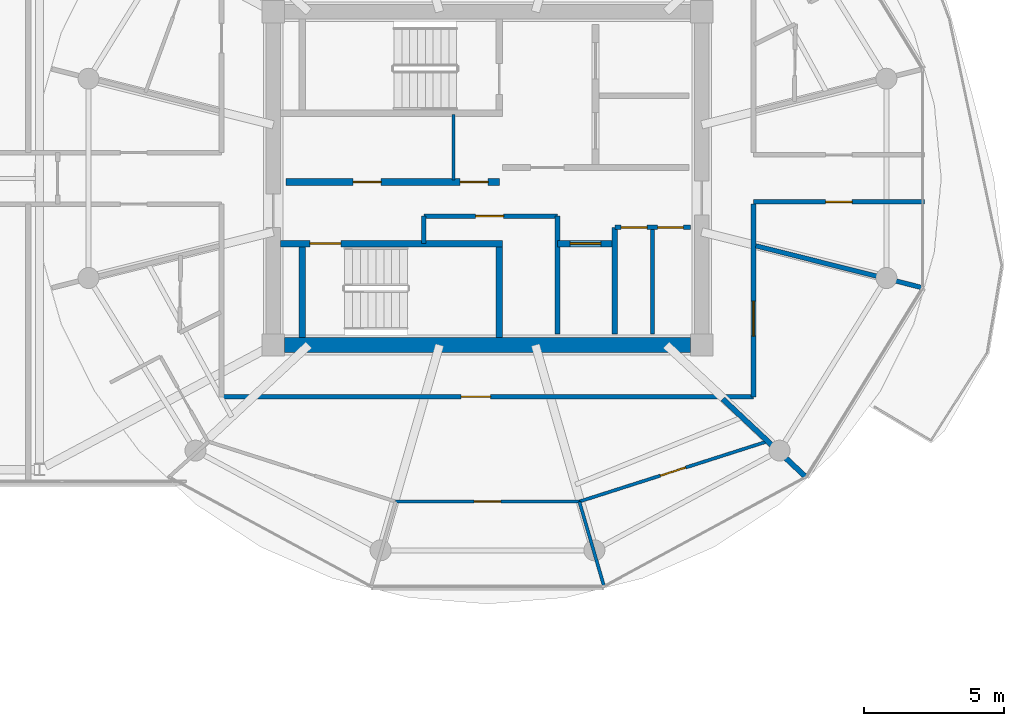
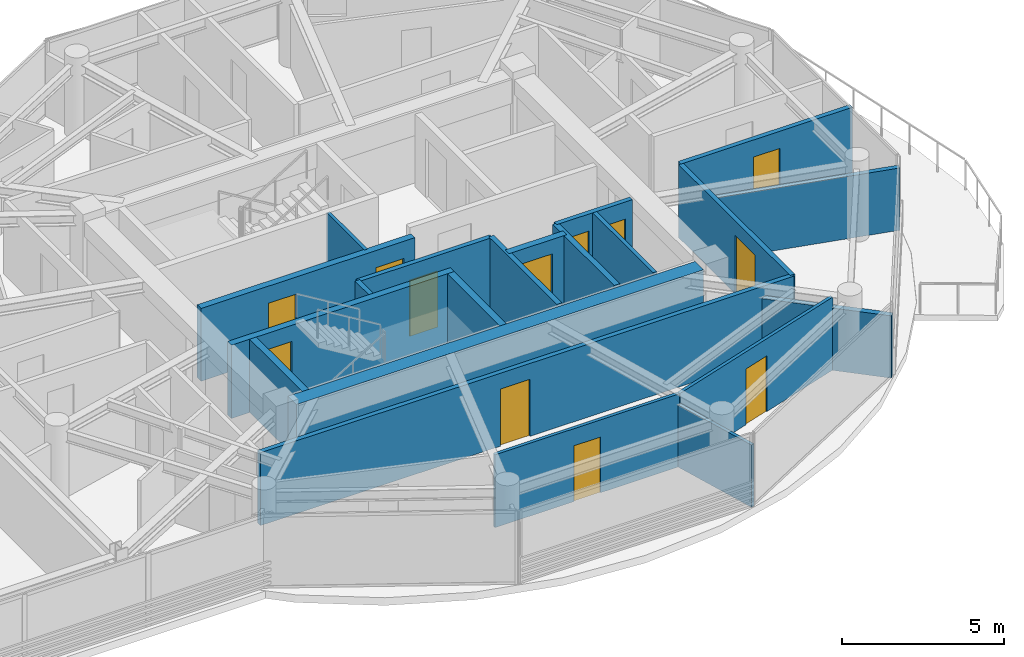
# One storey, part 17 of 23: 21 walls, 12 doors, 12 openings.
"""IFC4 building model written with IfcOpenShell, lengths in metres."""

from ifc_helpers import new_model, si_unit, direction, frame, frame_2d, origin, place, context, subcontext, project, spatial, rectangle, extrude, source, transform, mapped, material, layer, layer_set, type_object, type_shapes, element, fill, save


model = new_model("IFC4")

# Units and contexts
model_context = context("Model", 3, precision=1e-05, world=origin(), true_north=direction((0.0, 1.0)))
body_context = subcontext(model_context, "Body", "Model", "MODEL_VIEW")
ifc_project = project(units=[si_unit("LENGTHUNIT", "METRE"), si_unit("AREAUNIT", "SQUARE_METRE"), si_unit("VOLUMEUNIT", "CUBIC_METRE"), si_unit("PLANEANGLEUNIT", "RADIAN"), si_unit("MASSUNIT", "GRAM", prefix="KILO")], contexts=[model_context])

# Site, building, storey
site_placement = place(None, origin())
site = spatial("IfcSite", under=ifc_project, at=site_placement, CompositionType="ELEMENT")
building_placement = place(site_placement, origin())
building = spatial("IfcBuilding", under=site, at=building_placement, Name="Norrkilde Senior Care Towers", CompositionType="ELEMENT")
storey_placement = place(building_placement, frame((0.0, 0.0, 220.0)))
storey = spatial("IfcBuildingStorey", under=building, at=storey_placement, Name="L68", CompositionType="ELEMENT", Elevation=220.0)

# Wall
ifc_material_1 = material(Name="Concrete C50/60", Category="concrete")
ifc_layer_1 = layer(ifc_material_1, 0.52001953125)
ifc_layer_set_1 = layer_set([ifc_layer_1], Name="Concrete C50/60")
wall_type_1 = type_object("IfcWallType", Name="Core Shear Wall Z4 520", PredefinedType="SHEAR", material=ifc_layer_set_1)
shared_shape_1 = source(origin(), body_context, "Body", "SweptSolid", [
    extrude(rectangle(XDim=14.5, YDim=0.52001953125, at=frame_2d((7.25, 0.0))), origin(), (0.0, 0.0, 1.0), 2.760009765625),
])
type_shapes(wall_type_1, [shared_shape_1])
wall_1_placement = place(storey_placement, frame((35.25, -5.949951171875, 0.0), z_axis=(0.0, 0.0, 1.0), x_axis=(-1.0, 0.0, 0.0)))
element("IfcWall", 1, at=wall_1_placement, inside=storey, type_object=wall_type_1, Name="L68 Core E South Shear Wall", PredefinedType="SHEAR", context=body_context, shape_type="MappedRepresentation", body=[
    mapped(shared_shape_1, transform((0.0, 0.0, 0.0), x_axis=(1.0, 0.0, 0.0), y_axis=(0.0, 1.0, 0.0), z_axis=(0.0, 0.0, 1.0), scale=1.0)),
])

# Wall, opening, door
ifc_material_2 = material(Name="Concrete C45/55", Category="concrete")
ifc_layer_2 = layer(ifc_material_2, 0.239990234375)
ifc_layer_set_2 = layer_set([ifc_layer_2], Name="Concrete C45/55")
wall_type_2 = type_object("IfcWallType", Name="Shaft and Stair Enclosure Wall 240", PredefinedType="PARTITIONING", material=ifc_layer_set_2)
shared_shape_2 = source(origin(), body_context, "Body", "SweptSolid", [
    extrude(rectangle(XDim=7.929931640625, YDim=0.239990234375, at=frame_2d((3.96484375, 0.0))), origin(), (0.0, 0.0, 1.0), 2.760009765625),
])
wall_2_placement = place(storey_placement, frame((20.610107421875, -2.330078125, 0.0), z_axis=(0.0, 0.0, 1.0), x_axis=(1.0, 0.0, 0.0)))
wall_2 = element("IfcWall", 2, at=wall_2_placement, inside=storey, type_object=wall_type_2, Name="WL-INT-L68-E-ST2N", PredefinedType="PARTITIONING", context=body_context, shape_type="MappedRepresentation", body=[
    mapped(shared_shape_2, transform((0.0, 0.0, 0.0), x_axis=(1.0, 0.0, 0.0), y_axis=(0.0, 1.0, 0.0), z_axis=(0.0, 0.0, 1.0), scale=1.0)),
])
opening_1_placement = place(wall_2_placement, frame((1.050048828125, 0.0, 0.0)))
opening_1 = element("IfcOpeningElement", 3, at=opening_1_placement, cuts=wall_2, Name="Opening D-03", PredefinedType="OPENING", context=body_context, shape_type="SweptSolid", body=[
    extrude(rectangle(XDim=1.10009765625, YDim=2.14990234375, at=frame_2d((0.550048828125, 1.074951171875))), frame((0.0, 0.1298828125, 0.0), z_axis=(0.0, -1.0, 0.0), x_axis=(1.0, 0.0, 0.0)), (0.0, 0.0, 1.0), 0.260009765625),
])
ifc_material_3 = material(Name="Galvanised Painted Steel", Category="steel")
door_type_1 = type_object("IfcDoorType", Name="Stairwell Protected Fire Door 1100x2150", OperationType="NOTDEFINED", PredefinedType="DOOR", material=ifc_material_3)
shared_shape_3 = source(origin(), body_context, "Body", "SweptSolid", [
    extrude(rectangle(XDim=1.10009765625, YDim=2.14990234375, at=frame_2d((0.550048828125, 1.074951171875))), frame((0.0, 0.02490234375, 0.0), z_axis=(0.0, -1.0, 0.0), x_axis=(1.0, 0.0, 0.0)), (0.0, 0.0, 1.0), 0.050048828125),
])
type_shapes(door_type_1, [shared_shape_3])
door_1_placement = place(opening_1_placement, frame((1.10009765625, 0.0, 0.0), z_axis=(0.0, 0.0, 1.0), x_axis=(-1.0, 0.0, 0.0)))
door_1 = element("IfcDoor", 4, at=door_1_placement, inside=storey, type_object=door_type_1, Name="L68 Stair E2 Fire Door", OperationType="SINGLE_SWING_RIGHT", OverallHeight=2.14990234375, OverallWidth=1.10009765625, PredefinedType="DOOR", context=body_context, shape_type="MappedRepresentation", body=[
    mapped(shared_shape_3, transform((0.0, 0.0, 0.0), x_axis=(1.0, 0.0, 0.0), y_axis=(0.0, 1.0, 0.0), z_axis=(0.0, 0.0, 1.0), scale=1.0)),
])
fill(opening_1, door_1)

# Walls
shared_shape_4 = source(origin(), body_context, "Body", "SweptSolid", [
    extrude(rectangle(XDim=3.239990234375, YDim=0.239990234375, at=frame_2d((1.6201171875, 0.0))), origin(), (0.0, 0.0, 1.0), 2.760009765625),
])
type_shapes(wall_type_2, [shared_shape_2, shared_shape_4])
for number, where, z_axis, x_axis, name in (
    (5, (21.3798828125, -5.68994140625, 0.0), (0.0, 0.0, 1.0), (0.0, 1.0, 0.0), "WL-INT-L68-E-ST2W"),
    (6, (28.419921875, -5.68994140625, 0.0), (0.0, 0.0, 1.0), (0.0, 1.0, 0.0), "WL-INT-L68-E-ST2E"),
):
    element("IfcWall", number, at=place(storey_placement, frame(where, z_axis=z_axis, x_axis=x_axis)), inside=storey, type_object=wall_type_2, Name=name, PredefinedType="PARTITIONING", context=body_context, shape_type="MappedRepresentation", body=[
        mapped(shared_shape_4, transform((0.0, 0.0, 0.0), x_axis=(1.0, 0.0, 0.0), y_axis=(0.0, 1.0, 0.0), z_axis=(0.0, 0.0, 1.0), scale=1.0)),
    ])

# Wall, openings, doors
ifc_layer_3 = layer(ifc_material_2, 0.239990234375)
ifc_layer_set_3 = layer_set([ifc_layer_3], Name="Concrete C45/55")
wall_type_3 = type_object("IfcWallType", Name="Lift and Plant Rated Enclosure Partition 240", PredefinedType="PARTITIONING", material=ifc_layer_set_3)
shared_shape_5 = source(origin(), body_context, "Body", "SweptSolid", [
    extrude(rectangle(XDim=7.619873046875, YDim=0.239990234375, at=frame_2d((3.81005859375, 0.0))), origin(), (0.0, 0.0, 1.0), 2.7451171875),
])
wall_3_placement = place(storey_placement, frame((20.800048828125, -0.1298828125, 0.0), z_axis=(0.0, 0.0, 1.0), x_axis=(1.0, 0.0, 0.0)))
wall_3 = element("IfcWall", 7, at=wall_3_placement, inside=storey, type_object=wall_type_3, Name="WL-INT-L68-E-PKAS", PredefinedType="PARTITIONING", context=body_context, shape_type="MappedRepresentation", body=[
    mapped(shared_shape_5, transform((0.0, 0.0, 0.0), x_axis=(1.0, 0.0, 0.0), y_axis=(0.0, 1.0, 0.0), z_axis=(0.0, 0.0, 1.0), scale=1.0)),
])
opening_2_placement = place(wall_3_placement, frame((6.219970703125, 0.0, 0.0)))
opening_2 = element("IfcOpeningElement", 8, at=opening_2_placement, cuts=wall_3, Name="Opening D-10", PredefinedType="OPENING", context=body_context, shape_type="SweptSolid", body=[
    extrude(rectangle(XDim=1.0, YDim=2.10009765625, at=frame_2d((0.5, 1.050048828125))), frame((0.0, 0.1298828125, 0.0), z_axis=(0.0, -1.0, 0.0), x_axis=(1.0, 0.0, 0.0)), (0.0, 0.0, 1.0), 0.260009765625),
])
opening_3_placement = place(wall_3_placement, frame((2.39990234375, 0.0, 0.0)))
opening_3 = element("IfcOpeningElement", 9, at=opening_3_placement, cuts=wall_3, Name="Opening D-10", PredefinedType="OPENING", context=body_context, shape_type="SweptSolid", body=[
    extrude(rectangle(XDim=1.0, YDim=2.10009765625, at=frame_2d((0.5, 1.050048828125))), frame((0.0, 0.1298828125, 0.0), z_axis=(0.0, -1.0, 0.0), x_axis=(1.0, 0.0, 0.0)), (0.0, 0.0, 1.0), 0.260009765625),
])
door_type_2 = type_object("IfcDoorType", Name="Plant and Riser Rated Door 1000x2100", OperationType="NOTDEFINED", PredefinedType="DOOR", material=ifc_material_3)
shared_shape_6 = source(origin(), body_context, "Body", "SweptSolid", [
    extrude(rectangle(XDim=1.0, YDim=2.10009765625, at=frame_2d((0.5, 1.050048828125))), frame((0.0, 0.02490234375, 0.0), z_axis=(0.0, -1.0, 0.0), x_axis=(1.0, 0.0, 0.0)), (0.0, 0.0, 1.0), 0.050048828125),
])
type_shapes(door_type_2, [shared_shape_6])
door_2_placement = place(opening_2_placement, frame((1.0, 0.0, 0.0), z_axis=(0.0, 0.0, 1.0), x_axis=(-1.0, 0.0, 0.0)))
door_2 = element("IfcDoor", 10, at=door_2_placement, inside=storey, type_object=door_type_2, Name="L68 Electrical Riser E Door", OperationType="SINGLE_SWING_LEFT", OverallHeight=2.10009765625, OverallWidth=1.0, PredefinedType="DOOR", context=body_context, shape_type="MappedRepresentation", body=[
    mapped(shared_shape_6, transform((0.0, 0.0, 0.0), x_axis=(1.0, 0.0, 0.0), y_axis=(0.0, 1.0, 0.0), z_axis=(0.0, 0.0, 1.0), scale=1.0)),
])
fill(opening_2, door_2)
door_3_placement = place(opening_3_placement, frame((1.0, 0.0, 0.0), z_axis=(0.0, 0.0, 1.0), x_axis=(-1.0, 0.0, 0.0)))
door_3 = element("IfcDoor", 11, at=door_3_placement, inside=storey, type_object=door_type_2, Name="L68 Clean Supply Store E Door", OperationType="SINGLE_SWING_LEFT", OverallHeight=2.10009765625, OverallWidth=1.0, PredefinedType="DOOR", context=body_context, shape_type="MappedRepresentation", body=[
    mapped(shared_shape_6, transform((0.0, 0.0, 0.0), x_axis=(1.0, 0.0, 0.0), y_axis=(0.0, 1.0, 0.0), z_axis=(0.0, 0.0, 1.0), scale=1.0)),
])
fill(opening_3, door_3)

# Walls
ifc_material_4 = material(Name="Gypsum Acoustic Board")
ifc_layer_4 = layer(ifc_material_4, 0.114990234375)
ifc_layer_set_4 = layer_set([ifc_layer_4], Name="Gypsum Acoustic Board")
wall_type_4 = type_object("IfcWallType", Name="Internal Room Partition 115", PredefinedType="PARTITIONING", material=ifc_layer_set_4)
shared_shape_7 = source(origin(), body_context, "Body", "SweptSolid", [
    extrude(rectangle(XDim=2.330078125, YDim=0.114990234375, at=frame_2d((1.1650390625, 0.0))), origin(), (0.0, 0.0, 1.0), 2.7451171875),
])
wall_4_placement = place(storey_placement, frame((26.7900390625, -0.050048828125, 0.0), z_axis=(0.0, 0.0, 1.0), x_axis=(0.0, 1.0, 0.0)))
element("IfcWall", 12, at=wall_4_placement, inside=storey, type_object=wall_type_4, Name="WL-INT-L68-E-RISW", PredefinedType="PARTITIONING", context=body_context, shape_type="MappedRepresentation", body=[
    mapped(shared_shape_7, transform((0.0, 0.0, 0.0), x_axis=(1.0, 0.0, 0.0), y_axis=(0.0, 1.0, 0.0), z_axis=(0.0, 0.0, 1.0), scale=1.0)),
])
ifc_layer_5 = layer(ifc_material_2, 0.199951171875)
ifc_layer_set_5 = layer_set([ifc_layer_5], Name="Concrete C45/55")
wall_type_5 = type_object("IfcWallType", Name="Shaft Division and Plant Partition 200", PredefinedType="PARTITIONING", material=ifc_layer_set_5)
shared_shape_8 = source(origin(), body_context, "Body", "SweptSolid", [
    extrude(rectangle(XDim=3.800048828125, YDim=0.199951171875, at=frame_2d((1.89990234375, 0.0))), origin(), (0.0, 0.0, 1.0), 2.7451171875),
])
type_shapes(wall_type_5, [shared_shape_8])
wall_5_placement = place(storey_placement, frame((32.550048828125, -5.550048828125, 0.0), z_axis=(0.0, 0.0, 1.0), x_axis=(0.0, 1.0, 0.0)))
element("IfcWall", 13, at=wall_5_placement, inside=storey, type_object=wall_type_5, Name="WL-INT-L68-E-PKBE", PredefinedType="PARTITIONING", context=body_context, shape_type="MappedRepresentation", body=[
    mapped(shared_shape_8, transform((0.0, 0.0, 0.0), x_axis=(1.0, 0.0, 0.0), y_axis=(0.0, 1.0, 0.0), z_axis=(0.0, 0.0, 1.0), scale=1.0)),
])

# Wall, opening, door
shared_shape_9 = source(origin(), body_context, "Body", "SweptSolid", [
    extrude(rectangle(XDim=2.050048828125, YDim=0.239990234375, at=frame_2d((1.02490234375, 0.0))), origin(), (0.0, 0.0, 1.0), 2.7451171875),
])
type_shapes(wall_type_3, [shared_shape_5, shared_shape_9])
wall_6_placement = place(storey_placement, frame((30.5, -2.330078125, 0.0), z_axis=(0.0, 0.0, 1.0), x_axis=(1.0, 0.0, 0.0)))
wall_6 = element("IfcWall", 14, at=wall_6_placement, inside=storey, type_object=wall_type_3, Name="WL-INT-L68-E-PL4N", PredefinedType="PARTITIONING", context=body_context, shape_type="MappedRepresentation", body=[
    mapped(shared_shape_9, transform((0.0, 0.0, 0.0), x_axis=(1.0, 0.0, 0.0), y_axis=(0.0, 1.0, 0.0), z_axis=(0.0, 0.0, 1.0), scale=1.0)),
])
opening_4_placement = place(wall_6_placement, frame((0.449951171875, 0.0, 0.0)))
opening_4 = element("IfcOpeningElement", 15, at=opening_4_placement, cuts=wall_6, Name="Opening LD-01", PredefinedType="OPENING", context=body_context, shape_type="SweptSolid", body=[
    extrude(rectangle(XDim=1.10009765625, YDim=2.199951171875, at=frame_2d((0.550048828125, 1.10009765625))), frame((0.0, 0.1298828125, 0.0), z_axis=(0.0, -1.0, 0.0), x_axis=(1.0, 0.0, 0.0)), (0.0, 0.0, 1.0), 0.260009765625),
])
ifc_material_5 = material(Name="Stainless Steel", Category="steel")
door_type_3 = type_object("IfcDoorType", Name="Lift Landing Sliding Door 1100x2200", OperationType="NOTDEFINED", PredefinedType="DOOR", material=ifc_material_5)
shared_shape_10 = source(origin(), body_context, "Body", "SweptSolid", [
    extrude(rectangle(XDim=1.10009765625, YDim=2.199951171875, at=frame_2d((0.550048828125, 1.10009765625))), frame((0.0, 0.02490234375, 0.0), z_axis=(0.0, -1.0, 0.0), x_axis=(1.0, 0.0, 0.0)), (0.0, 0.0, 1.0), 0.050048828125),
])
type_shapes(door_type_3, [shared_shape_10])
door_4_placement = place(opening_4_placement, frame((1.10009765625, 0.0, 0.0), z_axis=(0.0, 0.0, 1.0), x_axis=(-1.0, 0.0, 0.0)))
door_4 = element("IfcDoor", 16, at=door_4_placement, inside=storey, type_object=door_type_3, Name="L68 Passenger Lift E4 Landing Door", OperationType="SLIDING_TO_RIGHT", OverallHeight=2.199951171875, OverallWidth=1.10009765625, PredefinedType="DOOR", context=body_context, shape_type="MappedRepresentation", body=[
    mapped(shared_shape_10, transform((0.0, 0.0, 0.0), x_axis=(1.0, 0.0, 0.0), y_axis=(0.0, 1.0, 0.0), z_axis=(0.0, 0.0, 1.0), scale=1.0)),
])
fill(opening_4, door_4)

# Wall
ifc_layer_6 = layer(ifc_material_2, 0.179931640625)
ifc_layer_set_6 = layer_set([ifc_layer_6], Name="Concrete C45/55")
wall_type_6 = type_object("IfcWallType", Name="Hoistway Division Rated Partition 180", PredefinedType="PARTITIONING", material=ifc_layer_set_6)
shared_shape_11 = source(origin(), body_context, "Body", "SweptSolid", [
    extrude(rectangle(XDim=4.199951171875, YDim=0.179931640625, at=frame_2d((2.10009765625, 0.0))), origin(), (0.0, 0.0, 1.0), 2.7451171875),
])
type_shapes(wall_type_6, [shared_shape_11])
wall_7_placement = place(storey_placement, frame((30.5, -5.550048828125, 0.0), z_axis=(0.0, 0.0, 1.0), x_axis=(0.0, 1.0, 0.0)))
element("IfcWall", 17, at=wall_7_placement, inside=storey, type_object=wall_type_6, Name="WL-INT-L68-E-PL4W", PredefinedType="PARTITIONING", context=body_context, shape_type="MappedRepresentation", body=[
    mapped(shared_shape_11, transform((0.0, 0.0, 0.0), x_axis=(1.0, 0.0, 0.0), y_axis=(0.0, 1.0, 0.0), z_axis=(0.0, 0.0, 1.0), scale=1.0)),
])

# Wall, opening, door
ifc_layer_7 = layer(ifc_material_4, 0.1650390625)
ifc_layer_set_7 = layer_set([ifc_layer_7], Name="Gypsum Acoustic Board")
wall_type_7 = type_object("IfcWallType", Name="Corridor Rated Partition 165", PredefinedType="PARTITIONING", material=ifc_layer_set_7)
shared_shape_12 = source(origin(), body_context, "Body", "SweptSolid", [
    extrude(rectangle(XDim=4.77001953125, YDim=0.1650390625, at=frame_2d((2.385009765625, 0.0))), origin(), (0.0, 0.0, 1.0), 2.7451171875),
])
wall_8_placement = place(storey_placement, frame((25.72998046875, -1.35009765625, 0.0), z_axis=(0.0, 0.0, 1.0), x_axis=(1.0, 0.0, 0.0)))
wall_8 = element("IfcWall", 18, at=wall_8_placement, inside=storey, type_object=wall_type_7, Name="WL-INT-L68-E-FR2N", PredefinedType="PARTITIONING", context=body_context, shape_type="MappedRepresentation", body=[
    mapped(shared_shape_12, transform((0.0, 0.0, 0.0), x_axis=(1.0, 0.0, 0.0), y_axis=(0.0, 1.0, 0.0), z_axis=(0.0, 0.0, 1.0), scale=1.0)),
])
opening_5_placement = place(wall_8_placement, frame((1.85009765625, 0.0, 0.0)))
opening_5 = element("IfcOpeningElement", 19, at=opening_5_placement, cuts=wall_8, Name="Opening D-10", PredefinedType="OPENING", context=body_context, shape_type="SweptSolid", body=[
    extrude(rectangle(XDim=1.0, YDim=2.10009765625, at=frame_2d((0.5, 1.050048828125))), frame((0.0, 0.092529296875, 0.0), z_axis=(0.0, -1.0, 0.0), x_axis=(1.0, 0.0, 0.0)), (0.0, 0.0, 1.0), 0.18505859375),
])
door_5_placement = place(opening_5_placement, origin())
door_5 = element("IfcDoor", 20, at=door_5_placement, inside=storey, type_object=door_type_2, Name="L68 Core Pantry E Door", OperationType="SINGLE_SWING_RIGHT", OverallHeight=2.10009765625, OverallWidth=1.0, PredefinedType="DOOR", context=body_context, shape_type="MappedRepresentation", body=[
    mapped(shared_shape_6, transform((0.0, 0.0, 0.0), x_axis=(1.0, 0.0, 0.0), y_axis=(0.0, 1.0, 0.0), z_axis=(0.0, 0.0, 1.0), scale=1.0)),
])
fill(opening_5, door_5)

# Wall
shared_shape_13 = source(origin(), body_context, "Body", "SweptSolid", [
    extrude(rectangle(XDim=0.97998046875, YDim=0.1650390625, at=frame_2d((0.489990234375, 0.0))), origin(), (0.0, 0.0, 1.0), 2.7451171875),
])
wall_9_placement = place(storey_placement, frame((25.72998046875, -2.330078125, 0.0), z_axis=(0.0, 0.0, 1.0), x_axis=(0.0, 1.0, 0.0)))
element("IfcWall", 21, at=wall_9_placement, inside=storey, type_object=wall_type_7, Name="WL-INT-L68-E-FR2W", PredefinedType="PARTITIONING", context=body_context, shape_type="MappedRepresentation", body=[
    mapped(shared_shape_13, transform((0.0, 0.0, 0.0), x_axis=(1.0, 0.0, 0.0), y_axis=(0.0, 1.0, 0.0), z_axis=(0.0, 0.0, 1.0), scale=1.0)),
])

# Wall, openings, doors
shared_shape_14 = source(origin(), body_context, "Body", "SweptSolid", [
    extrude(rectangle(XDim=2.699951171875, YDim=0.1650390625, at=frame_2d((1.35009765625, 0.0))), origin(), (0.0, 0.0, 1.0), 2.7451171875),
])
wall_10_placement = place(storey_placement, frame((32.550048828125, -1.75, 0.0), z_axis=(0.0, 0.0, 1.0), x_axis=(1.0, 0.0, 0.0)))
wall_10 = element("IfcWall", 22, at=wall_10_placement, inside=storey, type_object=wall_type_7, Name="WL-INT-L68-E-CSN", PredefinedType="PARTITIONING", context=body_context, shape_type="MappedRepresentation", body=[
    mapped(shared_shape_14, transform((0.0, 0.0, 0.0), x_axis=(1.0, 0.0, 0.0), y_axis=(0.0, 1.0, 0.0), z_axis=(0.0, 0.0, 1.0), scale=1.0)),
])
opening_6_placement = place(wall_10_placement, frame((0.222412109375, 0.0, 0.0)))
opening_6 = element("IfcOpeningElement", 23, at=opening_6_placement, cuts=wall_10, Name="Opening D-12", PredefinedType="OPENING", context=body_context, shape_type="SweptSolid", body=[
    extrude(rectangle(XDim=0.925048828125, YDim=2.10009765625, at=frame_2d((0.46240234375, 1.050048828125))), frame((0.0, 0.092529296875, 0.0), z_axis=(0.0, -1.0, 0.0), x_axis=(1.0, 0.0, 0.0)), (0.0, 0.0, 1.0), 0.18505859375),
])
opening_7_placement = place(wall_10_placement, frame((1.5224609375, 0.0, 0.0)))
opening_7 = element("IfcOpeningElement", 24, at=opening_7_placement, cuts=wall_10, Name="Opening D-12", PredefinedType="OPENING", context=body_context, shape_type="SweptSolid", body=[
    extrude(rectangle(XDim=0.925048828125, YDim=2.10009765625, at=frame_2d((0.46240234375, 1.050048828125))), frame((0.0, 0.092529296875, 0.0), z_axis=(0.0, -1.0, 0.0), x_axis=(1.0, 0.0, 0.0)), (0.0, 0.0, 1.0), 0.18505859375),
])
door_type_4 = type_object("IfcDoorType", Name="Core Wet Room Rated Door 925x2100", OperationType="NOTDEFINED", PredefinedType="DOOR", material=ifc_material_3)
shared_shape_15 = source(origin(), body_context, "Body", "SweptSolid", [
    extrude(rectangle(XDim=0.925048828125, YDim=2.10009765625, at=frame_2d((0.46240234375, 1.050048828125))), frame((0.0, 0.02490234375, 0.0), z_axis=(0.0, -1.0, 0.0), x_axis=(1.0, 0.0, 0.0)), (0.0, 0.0, 1.0), 0.050048828125),
])
type_shapes(door_type_4, [shared_shape_15])
door_6_placement = place(opening_6_placement, origin())
door_6 = element("IfcDoor", 25, at=door_6_placement, inside=storey, type_object=door_type_4, Name="L68 Staff Accessible WC E Door", OperationType="SINGLE_SWING_LEFT", OverallHeight=2.10009765625, OverallWidth=0.925048828125, PredefinedType="DOOR", context=body_context, shape_type="MappedRepresentation", body=[
    mapped(shared_shape_15, transform((0.0, 0.0, 0.0), x_axis=(1.0, 0.0, 0.0), y_axis=(0.0, 1.0, 0.0), z_axis=(0.0, 0.0, 1.0), scale=1.0)),
])
fill(opening_6, door_6)
door_7_placement = place(opening_7_placement, origin())
door_7 = element("IfcDoor", 26, at=door_7_placement, inside=storey, type_object=door_type_4, Name="L68 Housekeeping Store E Door", OperationType="SINGLE_SWING_RIGHT", OverallHeight=2.10009765625, OverallWidth=0.925048828125, PredefinedType="DOOR", context=body_context, shape_type="MappedRepresentation", body=[
    mapped(shared_shape_15, transform((0.0, 0.0, 0.0), x_axis=(1.0, 0.0, 0.0), y_axis=(0.0, 1.0, 0.0), z_axis=(0.0, 0.0, 1.0), scale=1.0)),
])
fill(opening_7, door_7)

# Wall, opening, door
shared_shape_16 = source(origin(), body_context, "Body", "SweptSolid", [
    extrude(rectangle(XDim=19.0, YDim=0.1650390625, at=frame_2d((9.5, 0.0))), origin(), (0.0, 0.0, 1.0), 2.7451171875),
])
wall_11_placement = place(storey_placement, frame((37.5, -7.800048828125, 0.0), z_axis=(0.0, 0.0, 1.0), x_axis=(-1.0, 0.0, 0.0)))
wall_11 = element("IfcWall", 27, at=wall_11_placement, inside=storey, type_object=wall_type_7, Name="WL-INT-L68-E-CRW-S-0", PredefinedType="PARTITIONING", context=body_context, shape_type="MappedRepresentation", body=[
    mapped(shared_shape_16, transform((0.0, 0.0, 0.0), x_axis=(1.0, 0.0, 0.0), y_axis=(0.0, 1.0, 0.0), z_axis=(0.0, 0.0, 1.0), scale=1.0)),
])
opening_8_placement = place(wall_11_placement, frame((9.39208984375, 0.0, 0.0)))
opening_8 = element("IfcOpeningElement", 28, at=opening_8_placement, cuts=wall_11, Name="Opening D-06", PredefinedType="OPENING", context=body_context, shape_type="SweptSolid", body=[
    extrude(rectangle(XDim=1.050048828125, YDim=2.14990234375, at=frame_2d((0.52490234375, 1.074951171875))), frame((0.0, 0.092529296875, 0.0), z_axis=(0.0, -1.0, 0.0), x_axis=(1.0, 0.0, 0.0)), (0.0, 0.0, 1.0), 0.18505859375),
])
ifc_material_6 = material(Name="Nordic Ash Timber", Category="wood")
door_type_5 = type_object("IfcDoorType", Name="Apartment Entrance Fire Door 1050x2150", OperationType="NOTDEFINED", PredefinedType="DOOR", material=ifc_material_6)
shared_shape_17 = source(origin(), body_context, "Body", "SweptSolid", [
    extrude(rectangle(XDim=1.050048828125, YDim=2.14990234375, at=frame_2d((0.52490234375, 1.074951171875))), frame((0.0, 0.02490234375, 0.0), z_axis=(0.0, -1.0, 0.0), x_axis=(1.0, 0.0, 0.0)), (0.0, 0.0, 1.0), 0.050048828125),
])
type_shapes(door_type_5, [shared_shape_17])
door_8_placement = place(opening_8_placement, frame((1.050048828125, 0.0, 0.0), z_axis=(0.0, 0.0, 1.0), x_axis=(-1.0, 0.0, 0.0)))
door_8 = element("IfcDoor", 29, at=door_8_placement, inside=storey, type_object=door_type_5, Name="Apartment 68C Entrance Door", OperationType="SINGLE_SWING_LEFT", OverallHeight=2.14990234375, OverallWidth=1.050048828125, PredefinedType="DOOR", context=body_context, shape_type="MappedRepresentation", body=[
    mapped(shared_shape_17, transform((0.0, 0.0, 0.0), x_axis=(1.0, 0.0, 0.0), y_axis=(0.0, 1.0, 0.0), z_axis=(0.0, 0.0, 1.0), scale=1.0)),
])
fill(opening_8, door_8)

shared_shape_18 = source(origin(), body_context, "Body", "SweptSolid", [
    extrude(rectangle(XDim=6.880126953125, YDim=0.1650390625, at=frame_2d((3.43994140625, 0.0))), origin(), (0.0, 0.0, 1.0), 2.7451171875),
])
wall_12_placement = place(storey_placement, frame((37.5, -0.919921875, 0.0), z_axis=(0.0, 0.0, 1.0), x_axis=(0.0, -1.0, 0.0)))
wall_12 = element("IfcWall", 30, at=wall_12_placement, inside=storey, type_object=wall_type_7, Name="WL-INT-L68-E-CRW-E-1", PredefinedType="PARTITIONING", context=body_context, shape_type="MappedRepresentation", body=[
    mapped(shared_shape_18, transform((0.0, 0.0, 0.0), x_axis=(1.0, 0.0, 0.0), y_axis=(0.0, 1.0, 0.0), z_axis=(0.0, 0.0, 1.0), scale=1.0)),
])
opening_9_placement = place(wall_12_placement, frame((3.46435546875, 0.0, 0.0)))
opening_9 = element("IfcOpeningElement", 31, at=opening_9_placement, cuts=wall_12, Name="Opening D-05", PredefinedType="OPENING", context=body_context, shape_type="SweptSolid", body=[
    extrude(rectangle(XDim=1.25, YDim=2.199951171875, at=frame_2d((0.625, 1.10009765625))), frame((0.0, 0.092529296875, 0.0), z_axis=(0.0, -1.0, 0.0), x_axis=(1.0, 0.0, 0.0)), (0.0, 0.0, 1.0), 0.18505859375),
])
door_type_6 = type_object("IfcDoorType", Name="Care Bedroom Bariatric Door 1250x2200", OperationType="NOTDEFINED", PredefinedType="DOOR", material=ifc_material_6)
shared_shape_19 = source(origin(), body_context, "Body", "SweptSolid", [
    extrude(rectangle(XDim=1.25, YDim=2.199951171875, at=frame_2d((0.625, 1.10009765625))), frame((0.0, 0.02490234375, 0.0), z_axis=(0.0, -1.0, 0.0), x_axis=(1.0, 0.0, 0.0)), (0.0, 0.0, 1.0), 0.050048828125),
])
type_shapes(door_type_6, [shared_shape_19])
door_9_placement = place(opening_9_placement, frame((1.25, 0.0, 0.0), z_axis=(0.0, 0.0, 1.0), x_axis=(-1.0, 0.0, 0.0)))
door_9 = element("IfcDoor", 32, at=door_9_placement, inside=storey, type_object=door_type_6, Name="L68 Care Coordination Charting Office Door", OperationType="SINGLE_SWING_LEFT", OverallHeight=2.199951171875, OverallWidth=1.25, PredefinedType="DOOR", context=body_context, shape_type="MappedRepresentation", body=[
    mapped(shared_shape_19, transform((0.0, 0.0, 0.0), x_axis=(1.0, 0.0, 0.0), y_axis=(0.0, 1.0, 0.0), z_axis=(0.0, 0.0, 1.0), scale=1.0)),
])
fill(opening_9, door_9)

# Wall
shared_shape_20 = source(origin(), body_context, "Body", "SweptSolid", [
    extrude(rectangle(XDim=6.1572265625, YDim=0.1650390625, at=frame_2d((3.07861328125, 0.0))), origin(), (0.0, 0.0, 1.0), 2.344970703125),
])
wall_13_placement = place(storey_placement, frame((37.580078125, -2.407470703125, 0.0), z_axis=(0.0, 0.0, 1.0), x_axis=(0.969840867184, -0.243738984038, 0.0)))
element("IfcWall", 33, at=wall_13_placement, inside=storey, type_object=wall_type_7, Name="WL-INT-L68-E-DEM-11-0", PredefinedType="PARTITIONING", context=body_context, shape_type="MappedRepresentation", body=[
    mapped(shared_shape_20, transform((0.0, 0.0, 0.0), x_axis=(1.0, 0.0, 0.0), y_axis=(0.0, 1.0, 0.0), z_axis=(0.0, 0.0, 1.0), scale=1.0)),
])

# Wall, opening, door
shared_shape_21 = source(origin(), body_context, "Body", "SweptSolid", [
    extrude(rectangle(XDim=6.101318359375, YDim=0.1650390625, at=frame_2d((3.05078125, 0.0))), origin(), (0.0, 0.0, 1.0), 2.7451171875),
])
type_shapes(wall_type_7, [shared_shape_12, shared_shape_13, shared_shape_14, shared_shape_16, shared_shape_18, shared_shape_20, shared_shape_21])
wall_14_placement = place(storey_placement, frame((43.601318359375, -0.840087890625, 0.0), z_axis=(0.0, 0.0, 1.0), x_axis=(-1.0, 0.0, 0.0)))
wall_14 = element("IfcWall", 34, at=wall_14_placement, inside=storey, type_object=wall_type_7, Name="WL-INT-L68-E-SPK-E2-0", PredefinedType="PARTITIONING", context=body_context, shape_type="MappedRepresentation", body=[
    mapped(shared_shape_21, transform((0.0, 0.0, 0.0), x_axis=(1.0, 0.0, 0.0), y_axis=(0.0, 1.0, 0.0), z_axis=(0.0, 0.0, 1.0), scale=1.0)),
])
opening_10_placement = place(wall_14_placement, frame((2.57568359375, 0.0, 0.0)))
opening_10 = element("IfcOpeningElement", 35, at=opening_10_placement, cuts=wall_14, Name="Opening D-07", PredefinedType="OPENING", context=body_context, shape_type="SweptSolid", body=[
    extrude(rectangle(XDim=0.949951171875, YDim=2.10009765625, at=frame_2d((0.47509765625, 1.050048828125))), frame((0.0, 0.092529296875, 0.0), z_axis=(0.0, -1.0, 0.0), x_axis=(1.0, 0.0, 0.0)), (0.0, 0.0, 1.0), 0.18505859375),
])
door_type_7 = type_object("IfcDoorType", Name="Internal Suite Bedroom Door 950x2100", OperationType="NOTDEFINED", PredefinedType="DOOR", material=ifc_material_6)
shared_shape_22 = source(origin(), body_context, "Body", "SweptSolid", [
    extrude(rectangle(XDim=0.949951171875, YDim=2.10009765625, at=frame_2d((0.47509765625, 1.050048828125))), frame((0.0, 0.02490234375, 0.0), z_axis=(0.0, -1.0, 0.0), x_axis=(1.0, 0.0, 0.0)), (0.0, 0.0, 1.0), 0.050048828125),
])
type_shapes(door_type_7, [shared_shape_22])
door_10_placement = place(opening_10_placement, frame((0.949951171875, 0.0, 0.0), z_axis=(0.0, 0.0, 1.0), x_axis=(-1.0, 0.0, 0.0)))
door_10 = element("IfcDoor", 36, at=door_10_placement, inside=storey, type_object=door_type_7, Name="L68 Sun Reading Lounge 5 Door", OperationType="SINGLE_SWING_RIGHT", OverallHeight=2.10009765625, OverallWidth=0.949951171875, PredefinedType="DOOR", context=body_context, shape_type="MappedRepresentation", body=[
    mapped(shared_shape_22, transform((0.0, 0.0, 0.0), x_axis=(1.0, 0.0, 0.0), y_axis=(0.0, 1.0, 0.0), z_axis=(0.0, 0.0, 1.0), scale=1.0)),
])
fill(opening_10, door_10)

# Wall
ifc_layer_8 = layer(ifc_material_4, 0.18994140625)
ifc_layer_set_8 = layer_set([ifc_layer_8], Name="Gypsum Acoustic Board")
wall_type_8 = type_object("IfcWallType", Name="Unit Demising Acoustic Wall 190", PredefinedType="PARTITIONING", material=ifc_layer_set_8)
shared_shape_23 = source(origin(), body_context, "Body", "SweptSolid", [
    extrude(rectangle(XDim=4.089111328125, YDim=0.18994140625, at=frame_2d((2.04443359375, 0.0))), origin(), (0.0, 0.0, 1.0), 2.344970703125),
])
type_shapes(wall_type_8, [shared_shape_23])
wall_15_placement = place(storey_placement, frame((36.40185546875, -7.8798828125, 0.0), z_axis=(0.0, 0.0, 1.0), x_axis=(0.729401273609, -0.684086092577, 0.0)))
element("IfcWall", 37, at=wall_15_placement, inside=storey, type_object=wall_type_8, Name="WL-INT-L68-E-DEM-10-0", PredefinedType="PARTITIONING", context=body_context, shape_type="MappedRepresentation", body=[
    mapped(shared_shape_23, transform((0.0, 0.0, 0.0), x_axis=(1.0, 0.0, 0.0), y_axis=(0.0, 1.0, 0.0), z_axis=(0.0, 0.0, 1.0), scale=1.0)),
])

# Wall, opening, door
shared_shape_24 = source(origin(), body_context, "Body", "SweptSolid", [
    extrude(rectangle(XDim=7.024169921875, YDim=0.114990234375, at=frame_2d((3.51220703125, 0.0))), origin(), (0.0, 0.0, 1.0), 2.7451171875),
])
wall_16_placement = place(storey_placement, frame((31.279541015625, -11.54150390625, 0.0), z_axis=(0.0, 0.0, 1.0), x_axis=(0.952454006655, 0.304682400552, 0.0)))
wall_16 = element("IfcWall", 38, at=wall_16_placement, inside=storey, type_object=wall_type_4, Name="WL-INT-L68-E-UBC-06-3", PredefinedType="PARTITIONING", context=body_context, shape_type="MappedRepresentation", body=[
    mapped(shared_shape_24, transform((0.0, 0.0, 0.0), x_axis=(1.0, 0.0, 0.0), y_axis=(0.0, 1.0, 0.0), z_axis=(0.0, 0.0, 1.0), scale=1.0)),
])
opening_11_placement = place(wall_16_placement, frame((3.037109375, 0.0, 0.0)))
opening_11 = element("IfcOpeningElement", 39, at=opening_11_placement, cuts=wall_16, Name="Opening D-07", PredefinedType="OPENING", context=body_context, shape_type="SweptSolid", body=[
    extrude(rectangle(XDim=0.949951171875, YDim=2.10009765625, at=frame_2d((0.47509765625, 1.050048828125))), frame((0.0, 0.0673828125, 0.0), z_axis=(0.0, -1.0, 0.0), x_axis=(1.0, 0.0, 0.0)), (0.0, 0.0, 1.0), 0.135009765625),
])
door_11_placement = place(opening_11_placement, origin())
door_11 = element("IfcDoor", 40, at=door_11_placement, inside=storey, type_object=door_type_7, Name="Apartment 68C Bedroom 3 Door", OperationType="SINGLE_SWING_RIGHT", OverallHeight=2.10009765625, OverallWidth=0.949951171875, PredefinedType="DOOR", context=body_context, shape_type="MappedRepresentation", body=[
    mapped(shared_shape_22, transform((0.0, 0.0, 0.0), x_axis=(1.0, 0.0, 0.0), y_axis=(0.0, 1.0, 0.0), z_axis=(0.0, 0.0, 1.0), scale=1.0)),
])
fill(opening_11, door_11)

shared_shape_25 = source(origin(), body_context, "Body", "SweptSolid", [
    extrude(rectangle(XDim=6.5576171875, YDim=0.114990234375, at=frame_2d((3.27880859375, 0.0))), origin(), (0.0, 0.0, 1.0), 2.7451171875),
])
wall_17_placement = place(storey_placement, frame((24.72119140625, -11.538818359375, 0.0), z_axis=(0.0, 0.0, 1.0), x_axis=(1.0, 0.0, 0.0)))
wall_17 = element("IfcWall", 41, at=wall_17_placement, inside=storey, type_object=wall_type_4, Name="WL-INT-L68-E-UBC-06-2", PredefinedType="PARTITIONING", context=body_context, shape_type="MappedRepresentation", body=[
    mapped(shared_shape_25, transform((0.0, 0.0, 0.0), x_axis=(1.0, 0.0, 0.0), y_axis=(0.0, 1.0, 0.0), z_axis=(0.0, 0.0, 1.0), scale=1.0)),
])
opening_12_placement = place(wall_17_placement, frame((2.8037109375, 0.0, 0.0)))
opening_12 = element("IfcOpeningElement", 42, at=opening_12_placement, cuts=wall_17, Name="Opening D-07", PredefinedType="OPENING", context=body_context, shape_type="SweptSolid", body=[
    extrude(rectangle(XDim=0.949951171875, YDim=2.10009765625, at=frame_2d((0.47509765625, 1.050048828125))), frame((0.0, 0.0673828125, 0.0), z_axis=(0.0, -1.0, 0.0), x_axis=(1.0, 0.0, 0.0)), (0.0, 0.0, 1.0), 0.135009765625),
])
door_12_placement = place(opening_12_placement, frame((0.949951171875, 0.0, 0.0), z_axis=(0.0, 0.0, 1.0), x_axis=(-1.0, 0.0, 0.0)))
door_12 = element("IfcDoor", 43, at=door_12_placement, inside=storey, type_object=door_type_7, Name="Apartment 68C Bedroom 2 Door", OperationType="SINGLE_SWING_LEFT", OverallHeight=2.10009765625, OverallWidth=0.949951171875, PredefinedType="DOOR", context=body_context, shape_type="MappedRepresentation", body=[
    mapped(shared_shape_22, transform((0.0, 0.0, 0.0), x_axis=(1.0, 0.0, 0.0), y_axis=(0.0, 1.0, 0.0), z_axis=(0.0, 0.0, 1.0), scale=1.0)),
])
fill(opening_12, door_12)

# Walls
shared_shape_26 = source(origin(), body_context, "Body", "SweptSolid", [
    extrude(rectangle(XDim=3.170654296875, YDim=0.114990234375, at=frame_2d((1.58544921875, 0.0))), origin(), (0.0, 0.0, 1.0), 2.344970703125),
])
type_shapes(wall_type_4, [shared_shape_7, shared_shape_24, shared_shape_25, shared_shape_26])
wall_18_placement = place(storey_placement, frame((31.279541015625, -11.54150390625, 0.0), z_axis=(0.0, 0.0, 1.0), x_axis=(0.279893554029, -0.960031040338, 0.0)))
element("IfcWall", 44, at=wall_18_placement, inside=storey, type_object=wall_type_4, Name="WL-INT-L68-E-UBR-06-3", PredefinedType="PARTITIONING", context=body_context, shape_type="MappedRepresentation", body=[
    mapped(shared_shape_26, transform((0.0, 0.0, 0.0), x_axis=(1.0, 0.0, 0.0), y_axis=(0.0, 1.0, 0.0), z_axis=(0.0, 0.0, 1.0), scale=1.0)),
])
ifc_layer_9 = layer(ifc_material_4, 0.139892578125)
ifc_layer_set_9 = layer_set([ifc_layer_9], Name="Gypsum Acoustic Board")
wall_type_9 = type_object("IfcWallType", Name="En-suite Wet Room Wall 140", PredefinedType="PARTITIONING", material=ifc_layer_set_9)
shared_shape_27 = source(origin(), body_context, "Body", "SweptSolid", [
    extrude(rectangle(XDim=3.800048828125, YDim=0.139892578125, at=frame_2d((1.89990234375, 0.0))), origin(), (0.0, 0.0, 1.0), 2.7451171875),
])
type_shapes(wall_type_9, [shared_shape_27])
wall_19_placement = place(storey_placement, frame((33.89990234375, -5.550048828125, 0.0), z_axis=(0.0, 0.0, 1.0), x_axis=(0.0, 1.0, 0.0)))
element("IfcWall", 45, at=wall_19_placement, inside=storey, type_object=wall_type_9, Name="WL-INT-L68-E-CS1V", PredefinedType="PARTITIONING", context=body_context, shape_type="MappedRepresentation", body=[
    mapped(shared_shape_27, transform((0.0, 0.0, 0.0), x_axis=(1.0, 0.0, 0.0), y_axis=(0.0, 1.0, 0.0), z_axis=(0.0, 0.0, 1.0), scale=1.0)),
])

save(model, "model.ifc")
